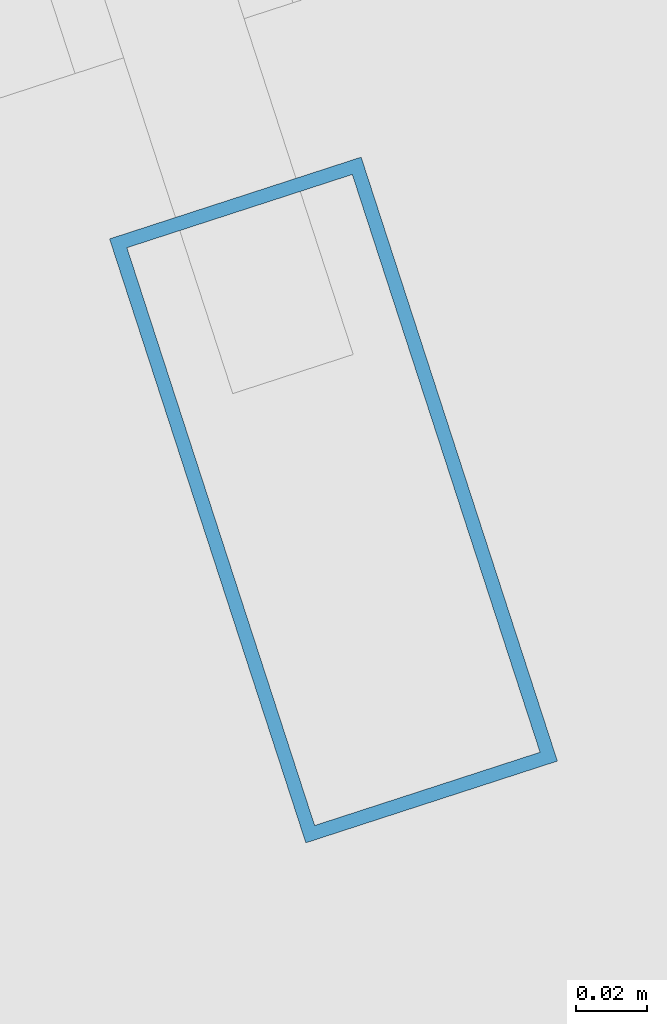
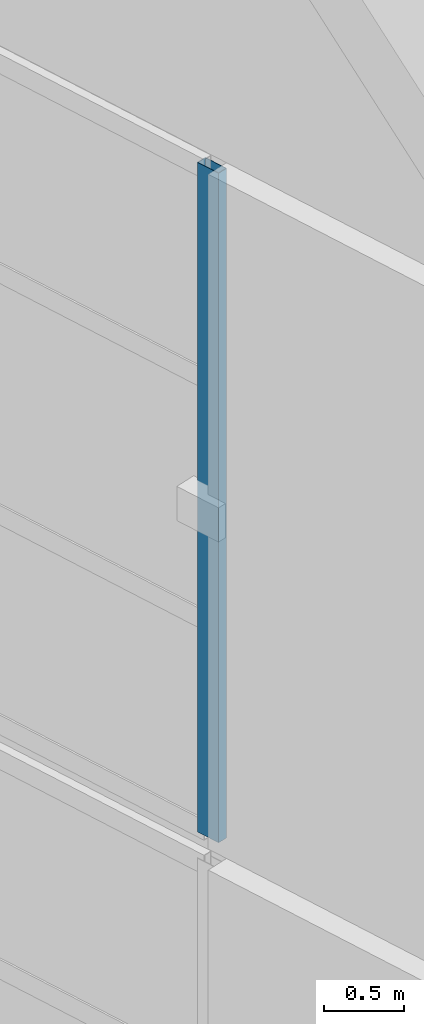
# One storey, part 17 of 56: 1 member, 1 element without a shape of its own.
"""IFC4 building model written with IfcOpenShell, lengths in metres."""

from ifc_helpers import new_model, si_unit, direction, frame, origin, origin_2d, place, context, subcontext, project, spatial, hollow_rectangle, extrude, material, layer, layer_set, material_profile, profile_set, type_object, element, aggregate, save


model = new_model("IFC4")

# Units and contexts
model_context = context("Model", 3, precision=1e-05, world=origin(), true_north=direction((0.0, 1.0)))
body_context = subcontext(model_context, "Body", "Model", "MODEL_VIEW")
ifc_project = project(units=[si_unit("LENGTHUNIT", "METRE"), si_unit("AREAUNIT", "SQUARE_METRE"), si_unit("VOLUMEUNIT", "CUBIC_METRE"), si_unit("PLANEANGLEUNIT", "RADIAN"), si_unit("MASSUNIT", "GRAM", prefix="KILO")], contexts=[model_context])

# Site, building, storey
site_placement = place(None, origin())
site = spatial("IfcSite", under=ifc_project, at=site_placement, CompositionType="ELEMENT")
building_placement = place(site_placement, origin())
building = spatial("IfcBuilding", under=site, at=building_placement, Name="Qiaolan Cultural Towers", CompositionType="ELEMENT")
storey_placement = place(building_placement, frame((0.0, 0.0, 250.39990234375)))
storey = spatial("IfcBuildingStorey", under=building, at=storey_placement, Name="L68", CompositionType="ELEMENT", Elevation=250.39990234375)

# Curtain wall, member
ifc_material_1 = material(Name="Unitized Anodized Aluminium Curtain Wall System", Category="aluminium")
ifc_layer = layer(ifc_material_1, 0.199951171875)
ifc_layer_set = layer_set([ifc_layer], Name="Unitized Anodized Aluminium Curtain Wall System")
curtain_wall_type = type_object("IfcCurtainWallType", Name="CWS-06", PredefinedType="NOTDEFINED", material=ifc_layer_set)
curtain_wall_placement = place(storey_placement, origin())
curtain_wall = element("IfcCurtainWall", 1, at=curtain_wall_placement, inside=storey, type_object=curtain_wall_type, Name="T2 Crown Tier 5 Fritted Screen Curtain Wall 7", PredefinedType="NOTDEFINED")
ifc_material_2 = material(Name="Extruded Aluminium 6063-T6", Category="aluminium")
ifc_material_profile = material_profile(ifc_material_2, hollow_rectangle(XDim=0.074951171875, YDim=0.179931640625, WallThickness=0.00390625, at=origin_2d()), Name="CWM-180x75x4")
ifc_profile_set = profile_set([ifc_material_profile], Name="Extruded Aluminium 6063-T6")
member_type = type_object("IfcMemberType", Name="CWS-06-MUL", PredefinedType="MULLION", material=ifc_profile_set)
member_placement = place(storey_placement, frame((78.59619140625, 24.277587890625, 21.300048828125), z_axis=(0.0, 0.0, 1.0), x_axis=(0.951056535512, 0.309016935232, 0.0)))
member = element("IfcMember", 2, at=member_placement, type_object=member_type, Name="CW-6 mullion 7", PredefinedType="MULLION", context=body_context, shape_type="SweptSolid", body=[
    extrude(hollow_rectangle(XDim=0.074951171875, YDim=0.179931640625, WallThickness=0.00390625, at=origin_2d()), origin(), (0.0, 0.0, 1.0), 5.10009765625),
])
aggregate(curtain_wall, [member])

save(model, "model.ifc")
